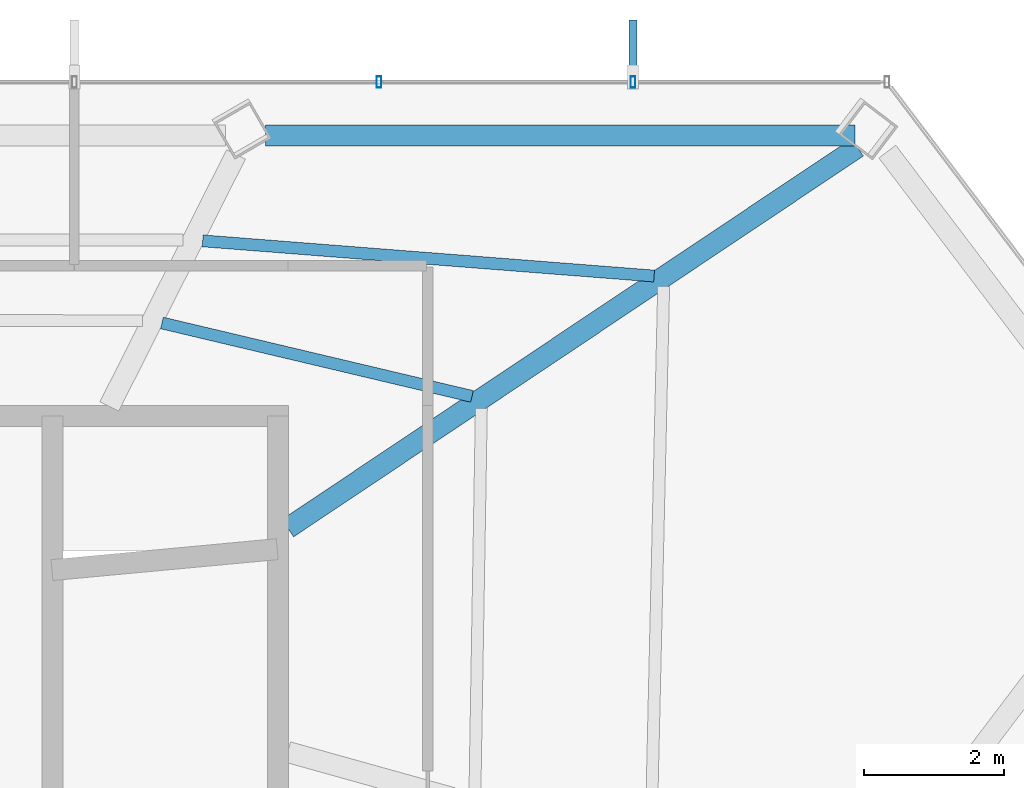
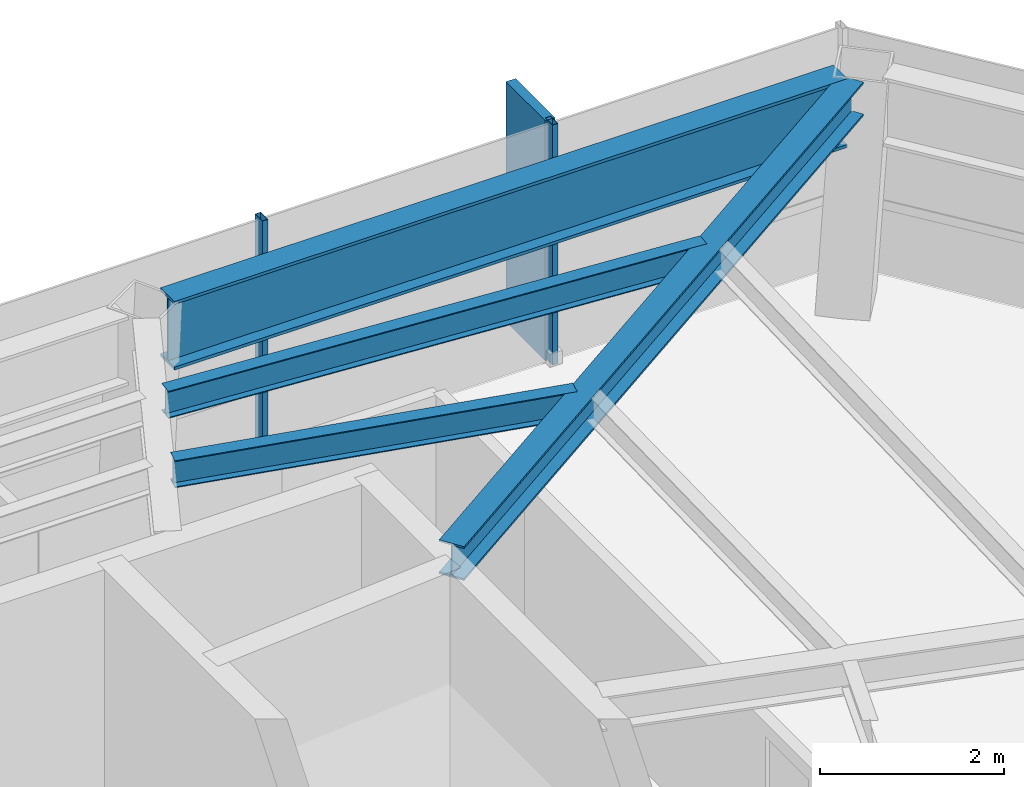
# One storey, part 21 of 27: 4 beams, 3 members, 1 element without a shape of its own.
"""IFC4 building model written with IfcOpenShell, lengths in metres."""

import ifcopenshell
import ifcopenshell.guid

model = None  # the IFC model being written
_history = None  # IfcOwnerHistory: only IFC2X3 demands one
_inside = {}  # id of a spatial element -> (the spatial element, [elements in it])
_under = {}  # id of a project, library or spatial element -> (it, [spatial elements below it])
_declared = {}  # id of a project -> (the project, [libraries it declares])
_typed = {}  # id of a type object -> (the type object, [elements of that type])
_made_of = {}  # id of a material, layer set ... -> (it, [elements and type objects made of it])


def new_model(schema):
    """Start an empty IFC model of exactly this schema.

    Asked for "IFC4X3", IfcOpenShell would pick the latest addendum, in which some entities
    have other attributes; the version numbers below select the first issue.
    IFC2X3 requires an IfcOwnerHistory on every rooted entity: one is made here for all.
    """
    global model, _history
    if schema == "IFC4X3":
        model = ifcopenshell.file(schema_version=(4, 3, 0, 0))
    else:
        model = ifcopenshell.file(schema=schema)
    _inside.clear()
    _under.clear()
    _declared.clear()
    _typed.clear()
    _made_of.clear()
    _history = None
    if model.schema == "IFC2X3":
        org = make("IfcOrganization", Name="unknown")
        user = make(
            "IfcPersonAndOrganization",
            ThePerson=make("IfcPerson", FamilyName="unknown"),
            TheOrganization=org,
        )
        app = make(
            "IfcApplication",
            ApplicationDeveloper=org,
            Version="unknown",
            ApplicationFullName="unknown",
            ApplicationIdentifier="unknown",
        )
        _history = make(
            "IfcOwnerHistory",
            OwningUser=user,
            OwningApplication=app,
            ChangeAction="ADDED",
            CreationDate=0,
        )
    return model


def make(cls, **values):
    """One entity of the class cls with the attributes given. An attribute that is None is left unset."""
    return model.create_entity(
        cls, **{name: value for name, value in values.items() if value is not None}
    )


def rooted(cls, **values):
    """An entity with a GlobalId (a new one), such as an element, a storey or a relation."""
    return make(cls, GlobalId=ifcopenshell.guid.new(), OwnerHistory=_history, **values)


def si_unit(unit_type, name, prefix=None):
    """IfcSIUnit, for example si_unit("LENGTHUNIT", "METRE", prefix="MILLI")."""
    return make("IfcSIUnit", UnitType=unit_type, Prefix=prefix, Name=name)


def assignment(units):
    """IfcUnitAssignment: the units of a project."""
    return None if units is None else make("IfcUnitAssignment", Units=units)


def point(xyz):
    """IfcCartesianPoint."""
    return None if xyz is None else make("IfcCartesianPoint", Coordinates=xyz)


def direction(xyz):
    """IfcDirection."""
    return None if xyz is None else make("IfcDirection", DirectionRatios=xyz)


def frame(location, z_axis=None, x_axis=None):
    """IfcAxis2Placement3D, a coordinate frame: its origin and axes. An axis left out is left unset."""
    return make(
        "IfcAxis2Placement3D",
        Location=point(location),
        Axis=direction(z_axis),
        RefDirection=direction(x_axis),
    )


def frame_2d(location, x_axis=None):
    """IfcAxis2Placement2D, a coordinate frame in the plane: its origin and x axis."""
    return make(
        "IfcAxis2Placement2D", Location=point(location), RefDirection=direction(x_axis)
    )


def origin():
    """The frame at (0, 0, 0) with its axes left unset."""
    return frame((0.0, 0.0, 0.0))


def origin_2d():
    """The frame at (0, 0) in the plane with its x axis left unset."""
    return frame_2d((0.0, 0.0))


def place(relative_to, where):
    """IfcLocalPlacement: puts the frame where relative to a parent placement (None: the world)."""
    return make(
        "IfcLocalPlacement", PlacementRelTo=relative_to, RelativePlacement=where
    )


def context(
    kind, dimensions, precision=None, world=None, true_north=None, identifier=None
):
    """IfcGeometricRepresentationContext, for example the 3D "Model" context."""
    return make(
        "IfcGeometricRepresentationContext",
        ContextIdentifier=identifier,
        ContextType=kind,
        CoordinateSpaceDimension=dimensions,
        Precision=precision,
        WorldCoordinateSystem=world,
        TrueNorth=true_north,
    )


def subcontext(parent, identifier, kind, view, scale=None):
    """IfcGeometricRepresentationSubContext, for example "Body" below "Model"."""
    return make(
        "IfcGeometricRepresentationSubContext",
        ContextIdentifier=identifier,
        ContextType=kind,
        ParentContext=parent,
        TargetScale=scale,
        TargetView=view,
    )


def project(units=None, contexts=None):
    """IfcProject with its units and contexts."""
    return rooted(
        "IfcProject",
        Name="project",
        RepresentationContexts=contexts,
        UnitsInContext=assignment(units),
    )


def spatial(cls, under=None, at=None, **own):
    """A site, building, storey or space (cls), placed at a placement, below another one or the project."""
    s = rooted(cls, ObjectPlacement=at, **own)
    if under is not None:
        _under.setdefault(under.id(), (under, []))[1].append(s)
    return s


def profile(cls, at=None, kind="AREA", **sizes):
    """A parametric profile (cls). Its sizes go by their IFC names, for example OverallWidth=200.0."""
    return make(cls, ProfileType=kind, Position=at, **sizes)


def rectangle(**sizes):
    """IfcRectangleProfileDef."""
    return profile("IfcRectangleProfileDef", **sizes)


def hollow_rectangle(**sizes):
    """IfcRectangleHollowProfileDef."""
    return profile("IfcRectangleHollowProfileDef", **sizes)


def i_section(**sizes):
    """IfcIShapeProfileDef."""
    return profile("IfcIShapeProfileDef", **sizes)


def extrude(swept, where, along, depth):
    """IfcExtrudedAreaSolid: the profile swept, set in the frame where, extruded along a direction by depth."""
    return make(
        "IfcExtrudedAreaSolid",
        SweptArea=swept,
        Position=where,
        ExtrudedDirection=direction(along),
        Depth=depth,
    )


def shape(context_of_items, identifier, shape_type, items):
    """IfcShapeRepresentation: the items that make up one representation, for example the "Body"."""
    return make(
        "IfcShapeRepresentation",
        ContextOfItems=context_of_items,
        RepresentationIdentifier=identifier,
        RepresentationType=shape_type,
        Items=items,
    )


def material(Name=None, Category=None):
    """IfcMaterial."""
    return make("IfcMaterial", Name=Name, Category=Category)


def layer(
    of_material, thickness, ventilated=None, Name=None, Category=None, Priority=None
):
    """IfcMaterialLayer: one layer of a wall or slab, of a material (None: an air gap)."""
    return make(
        "IfcMaterialLayer",
        Material=of_material,
        LayerThickness=thickness,
        IsVentilated=ventilated,
        Name=Name,
        Category=Category,
        Priority=Priority,
    )


def layer_set(layers, Name=None):
    """IfcMaterialLayerSet."""
    return make("IfcMaterialLayerSet", MaterialLayers=layers, LayerSetName=Name)


def material_profile(
    of_material, cross_section, Name=None, Category=None, Priority=None
):
    """IfcMaterialProfile: a cross section and its material."""
    return make(
        "IfcMaterialProfile",
        Name=Name,
        Material=of_material,
        Profile=cross_section,
        Priority=Priority,
        Category=Category,
    )


def profile_set(profiles, Name=None, composite=None):
    """IfcMaterialProfileSet."""
    return make(
        "IfcMaterialProfileSet",
        Name=Name,
        MaterialProfiles=profiles,
        CompositeProfile=composite,
    )


def made_of(thing, what):
    """Note that an element or type object is made of a material, layer set ...; save() writes the relation."""
    if what is not None:
        _made_of.setdefault(what.id(), (what, []))[1].append(thing)
    return thing


def type_object(cls, material=None, **own):
    """A type object (cls), such as IfcWallType, which elements share."""
    return made_of(rooted(cls, **own), material)


def element(
    cls,
    number,
    at=None,
    inside=None,
    cuts=None,
    type_object=None,
    material=None,
    context=None,
    identifier="Body",
    shape_type=None,
    held_by="IfcProductDefinitionShape",
    body=None,
    shapes=None,
    **own,
):
    """One element of the class cls, such as IfcWall. Its Tag is "e" and its number.

    at: its placement. inside: the storey or other place that contains it. cuts: it is an
    opening in that element (IfcRelVoidsElement). A single representation is given by context,
    identifier, shape_type and body (its items); several are given by shapes. held_by: the class
    of the entity that holds the representations. save() writes the other relations.
    """
    e = rooted(cls, Tag="e%d" % number, ObjectPlacement=at, **own)
    if body is not None:
        shapes = [shape(context, identifier, shape_type, body)]
    if shapes is not None:
        e.Representation = make(held_by, Representations=shapes)
    if inside is not None:
        _inside.setdefault(inside.id(), (inside, []))[1].append(e)
    if cuts is not None:
        rooted(
            "IfcRelVoidsElement", RelatingBuildingElement=cuts, RelatedOpeningElement=e
        )
    if type_object is not None:
        _typed.setdefault(type_object.id(), (type_object, []))[1].append(e)
    return made_of(e, material)


def aggregate(whole, parts):
    """IfcRelAggregates: a whole, such as a stair, and the parts it consists of."""
    return rooted("IfcRelAggregates", RelatingObject=whole, RelatedObjects=parts)


def save(model, path):
    """Write the relations noted so far, then the file.

    IfcRelAggregates (storeys below a building ...), IfcRelContainedInSpatialStructure (elements
    in a storey), IfcRelDefinesByType, IfcRelAssociatesMaterial and IfcRelDeclares: one each for
    every whole, place, type object, material and project.
    """
    for whole, parts in _under.values():
        aggregate(whole, parts)
    for where, things in _inside.values():
        rooted(
            "IfcRelContainedInSpatialStructure",
            RelatedElements=things,
            RelatingStructure=where,
        )
    for kind, things in _typed.values():
        rooted("IfcRelDefinesByType", RelatedObjects=things, RelatingType=kind)
    for what, things in _made_of.values():
        rooted("IfcRelAssociatesMaterial", RelatedObjects=things, RelatingMaterial=what)
    for by, libraries in _declared.values():
        rooted("IfcRelDeclares", RelatingContext=by, RelatedDefinitions=libraries)
    model.write(path)


model = new_model("IFC4")

# Units and contexts
model_context = context("Model", 3, precision=1e-05, world=origin(), true_north=direction((0.0, 1.0)))
body_context = subcontext(model_context, "Body", "Model", "MODEL_VIEW")
ifc_project = project(units=[si_unit("LENGTHUNIT", "METRE"), si_unit("AREAUNIT", "SQUARE_METRE"), si_unit("VOLUMEUNIT", "CUBIC_METRE"), si_unit("PLANEANGLEUNIT", "RADIAN"), si_unit("MASSUNIT", "GRAM", prefix="KILO")], contexts=[model_context])

# Site, building, storey
site_placement = place(None, origin())
site = spatial("IfcSite", under=ifc_project, at=site_placement, CompositionType="ELEMENT")
building_placement = place(site_placement, origin())
building = spatial("IfcBuilding", under=site, at=building_placement, Name="Zarrinselat Tower", CompositionType="ELEMENT")
storey_placement = place(building_placement, frame((0.0, 0.0, 235.9599609375)))
storey = spatial("IfcBuildingStorey", under=building, at=storey_placement, Name="L59", CompositionType="ELEMENT", Elevation=235.9599609375)

# Beams
ifc_material_1 = material(Name="Steel S355J2", Category="steel")
ifc_material_profile_1 = material_profile(ifc_material_1, i_section(OverallWidth=0.300048828125, OverallDepth=0.449951171875, WebThickness=0.013916015625, FlangeThickness=0.02587890625, at=origin_2d()), Name="HEB 450")
ifc_profile_set_1 = profile_set([ifc_material_profile_1], Name="Steel S355J2")
beam_type_1 = type_object("IfcBeamType", Name="BM-HEB450", PredefinedType="BEAM", material=ifc_profile_set_1)
beam_1_placement = place(storey_placement, frame((48.35009765625, 41.800048828125, 2.955078125), z_axis=(0.831397894197, 0.555677551756, 0.0), x_axis=(-0.555677551756, 0.831397894197, 0.0)))
element("IfcBeam", 1, at=beam_1_placement, inside=storey, type_object=beam_type_1, Name="L59 Radial Primary Girder RG01", PredefinedType="BEAM", context=body_context, shape_type="SweptSolid", body=[
    extrude(i_section(OverallWidth=0.300048828125, OverallDepth=0.449951171875, WebThickness=0.013916015625, FlangeThickness=0.02587890625, at=origin_2d()), origin(), (0.0, 0.0, 1.0), 9.7958984375),
])
ifc_material_2 = material(Name="Steel S460M", Category="steel")
ifc_material_profile_2 = material_profile(ifc_material_2, i_section(OverallWidth=0.302001953125, OverallDepth=0.909912109375, WebThickness=0.02099609375, FlangeThickness=0.0400390625, at=origin_2d()), Name="HEM 900")
ifc_profile_set_2 = profile_set([ifc_material_profile_2], Name="Steel S460M")
beam_type_2 = type_object("IfcBeamType", Name="BM-HEM900", PredefinedType="BEAM", material=ifc_profile_set_2)
beam_2_placement = place(storey_placement, frame((48.033203125, 47.4111328125, 2.72509765625), z_axis=(1.0, 0.0, 0.0), x_axis=(0.0, 1.0, 0.0)))
element("IfcBeam", 2, at=beam_2_placement, inside=storey, type_object=beam_type_2, Name="L59 Perimeter Spandrel Girder SP01", PredefinedType="BEAM", context=body_context, shape_type="SweptSolid", body=[
    extrude(i_section(OverallWidth=0.302001953125, OverallDepth=0.909912109375, WebThickness=0.02099609375, FlangeThickness=0.0400390625, at=origin_2d()), origin(), (0.0, 0.0, 1.0), 8.42431640625),
])
ifc_material_3 = material(Name="Steel S355J2", Category="steel")
ifc_material_profile_3 = material_profile(ifc_material_3, i_section(OverallWidth=0.169921875, OverallDepth=0.360107421875, WebThickness=0.008056640625, FlangeThickness=0.0126953125, at=origin_2d()), Name="IPE 360")
ifc_profile_set_3 = profile_set([ifc_material_profile_3], Name="Steel S355J2")
beam_type_3 = type_object("IfcBeamType", Name="BM-IPE360", PredefinedType="JOIST", material=ifc_profile_set_3)
beam_3_placement = place(storey_placement, frame((47.1337890625, 45.906005859375, 3.0), z_axis=(0.996978551516, -0.077677331425, 0.0), x_axis=(0.077677331425, 0.996978551516, 0.0)))
element("IfcBeam", 3, at=beam_3_placement, inside=storey, type_object=beam_type_3, Name="L59 Composite Floor Joist 6-1", PredefinedType="JOIST", context=body_context, shape_type="SweptSolid", body=[
    extrude(i_section(OverallWidth=0.169921875, OverallDepth=0.360107421875, WebThickness=0.008056640625, FlangeThickness=0.0126953125, at=origin_2d()), origin(), (0.0, 0.0, 1.0), 6.471435546875),
])
beam_4_placement = place(storey_placement, frame((46.551513671875, 44.732177734375, 3.0), z_axis=(0.973103379517, -0.23036886242, 0.0), x_axis=(0.23036886242, 0.973103379517, 0.0)))
element("IfcBeam", 4, at=beam_4_placement, inside=storey, type_object=beam_type_3, Name="L59 Composite Floor Joist 6-2", PredefinedType="JOIST", context=body_context, shape_type="SweptSolid", body=[
    extrude(i_section(OverallWidth=0.169921875, OverallDepth=0.360107421875, WebThickness=0.008056640625, FlangeThickness=0.0126953125, at=origin_2d()), origin(), (0.0, 0.0, 1.0), 4.553955078125),
])

# Curtain wall, members
ifc_material_4 = material(Name="Extruded Aluminium Alloy EN AW-6063 T6", Category="aluminium")
ifc_layer = layer(ifc_material_4, 0.169921875)
ifc_layer_set = layer_set([ifc_layer], Name="Extruded Aluminium Alloy EN AW-6063 T6")
curtain_wall_type = type_object("IfcCurtainWallType", Name="CWS-RES", PredefinedType="NOTDEFINED", material=ifc_layer_set)
curtain_wall_placement = place(storey_placement, origin())
curtain_wall = element("IfcCurtainWall", 5, at=curtain_wall_placement, inside=storey, type_object=curtain_wall_type, Name="L59 Unitised Curtain Wall CW-L59-E01", PredefinedType="NOTDEFINED")
ifc_material_5 = material(Name="Extruded Aluminium Alloy EN AW-6063 T6", Category="aluminium")
ifc_material_profile_4 = material_profile(ifc_material_5, hollow_rectangle(XDim=0.070068359375, YDim=0.159912109375, WallThickness=0.00390625, at=origin_2d()), Name="RHS 160x70x4")
ifc_profile_set_4 = profile_set([ifc_material_profile_4], Name="Extruded Aluminium Alloy EN AW-6063 T6")
member_type_1 = type_object("IfcMemberType", Name="MEM-CW-MUL2", PredefinedType="MULLION", material=ifc_profile_set_4)
member_1_placement = place(storey_placement, frame((53.284912109375, 48.177734375, 0.0), z_axis=(0.0, 0.0, 1.0), x_axis=(-1.0, 0.0, 0.0)))
member_1 = element("IfcMember", 6, at=member_1_placement, type_object=member_type_1, Name="CW-L59-E01 Mullion 1", PredefinedType="MULLION", context=body_context, shape_type="SweptSolid", body=[
    extrude(hollow_rectangle(XDim=0.070068359375, YDim=0.159912109375, WallThickness=0.00390625, at=origin_2d()), origin(), (0.0, 0.0, 1.0), 3.179931640625),
])
member_2_placement = place(storey_placement, frame((49.654541015625, 48.177734375, 0.0), z_axis=(0.0, 0.0, 1.0), x_axis=(-1.0, 0.0, 0.0)))
member_2 = element("IfcMember", 7, at=member_2_placement, type_object=member_type_1, Name="CW-L59-E01 Mullion 2", PredefinedType="MULLION", context=body_context, shape_type="SweptSolid", body=[
    extrude(hollow_rectangle(XDim=0.070068359375, YDim=0.159912109375, WallThickness=0.00390625, at=origin_2d()), origin(), (0.0, 0.0, 1.0), 3.179931640625),
])
ifc_material_6 = material(Name="Honed Cream Travertine Stone", Category="masonry")
ifc_material_profile_5 = material_profile(ifc_material_6, rectangle(XDim=0.1201171875, YDim=0.85009765625, at=origin_2d()), Name="FIN 850x120")
ifc_profile_set_5 = profile_set([ifc_material_profile_5], Name="Honed Cream Travertine Stone")
member_type_2 = type_object("IfcMemberType", Name="MEM-STONE-FIN", PredefinedType="USERDEFINED", material=ifc_profile_set_5)
member_3_placement = place(storey_placement, frame((53.284912109375, 48.6376953125, 0.0), z_axis=(0.0, 0.0, 1.0), x_axis=(1.0, 0.0, 0.0)))
member_3 = element("IfcMember", 8, at=member_3_placement, type_object=member_type_2, Name="L59 Stone Shading Fin CW-L59-E01-01", ObjectType="FIN", PredefinedType="USERDEFINED", context=body_context, shape_type="SweptSolid", body=[
    extrude(rectangle(XDim=0.1201171875, YDim=0.85009765625, at=origin_2d()), origin(), (0.0, 0.0, 1.0), 3.179931640625),
])
aggregate(curtain_wall, [member_1, member_3, member_2])

save(model, "model.ifc")
